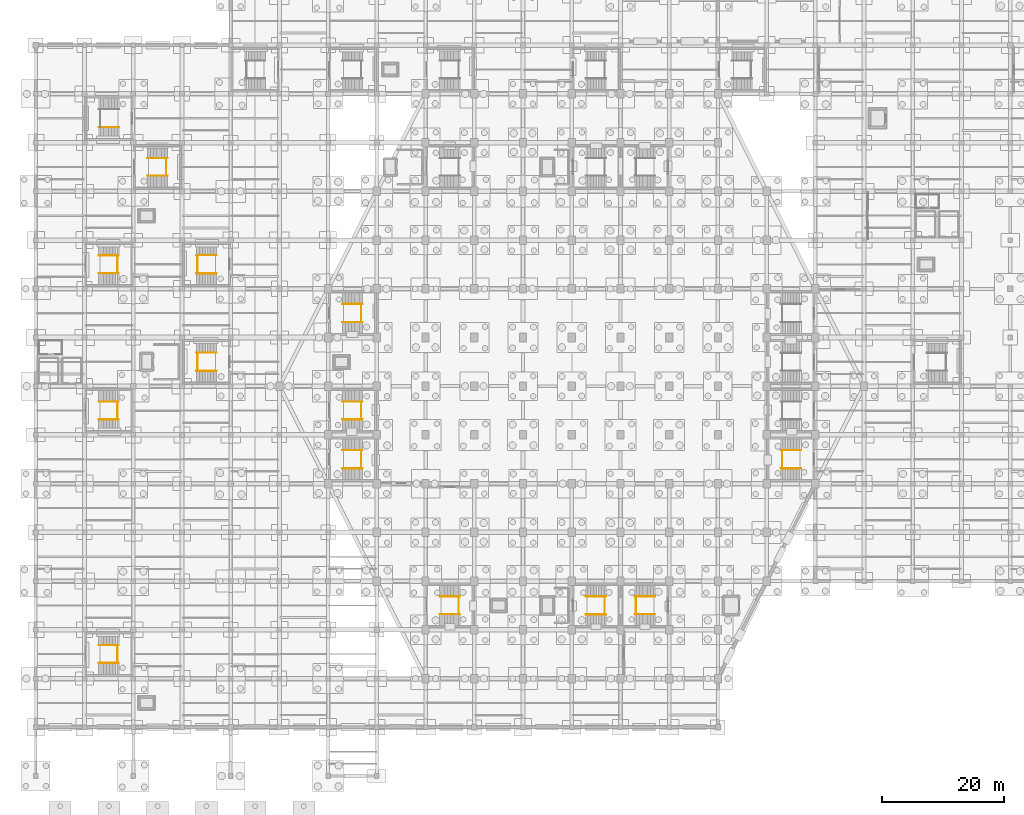
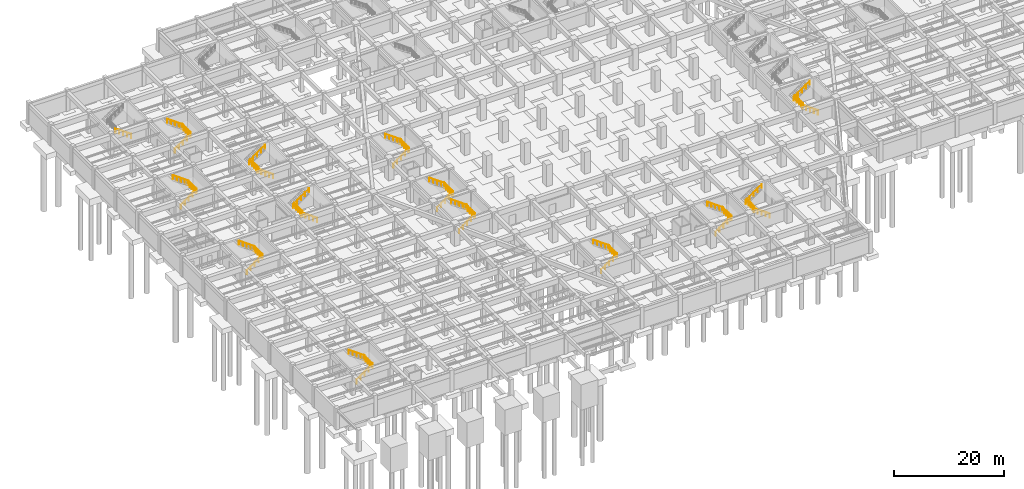
# One storey, part 34 of 36: 40 railings.
"""IFC4 building model written with IfcOpenShell, lengths in metres."""

from ifc_helpers import new_model, si_unit, direction, frame, origin, origin_2d, place, context, subcontext, project, spatial, circle, extrude, material, type_object, element, save


model = new_model("IFC4")

# Units and contexts
model_context = context("Model", 3, precision=1e-05, world=origin(), true_north=direction((0.0, 1.0)))
body_context = subcontext(model_context, "Body", "Model", "MODEL_VIEW")
ifc_project = project(units=[si_unit("LENGTHUNIT", "METRE"), si_unit("AREAUNIT", "SQUARE_METRE"), si_unit("VOLUMEUNIT", "CUBIC_METRE"), si_unit("PLANEANGLEUNIT", "RADIAN"), si_unit("MASSUNIT", "GRAM", prefix="KILO")], contexts=[model_context])

# Site, building, storey
site_placement = place(None, origin())
site = spatial("IfcSite", under=ifc_project, at=site_placement, CompositionType="ELEMENT")
building_placement = place(site_placement, origin())
building = spatial("IfcBuilding", under=site, at=building_placement, Name="Tazarka Park Arena", CompositionType="ELEMENT")
storey_placement = place(building_placement, frame((0.0, 0.0, -4.800048828125)))
storey = spatial("IfcBuildingStorey", under=building, at=storey_placement, Name="B1", CompositionType="ELEMENT", Elevation=-4.800048828125)

# Railings
ifc_material_1 = material(Name="Brushed architectural stainless steel", Category="steel")
railing_type_1 = type_object("IfcRailingType", Name="HR-01", PredefinedType="HANDRAIL", material=ifc_material_1)
railing_1_placement = place(storey_placement, frame((10.31494140625, 58.550048828125, 0.0)))
element("IfcRailing", 1, at=railing_1_placement, inside=storey, type_object=railing_type_1, Name="Stair Handrail ST01-B1-F1", PredefinedType="HANDRAIL", context=body_context, shape_type="SweptSolid", body=[
    extrude(circle(Radius=0.02392578125, at=origin_2d()), frame((0.0, 0.0, 0.89599609375), z_axis=(0.809980229442, 0.0, 0.586457183359), x_axis=(0.0, 1.0, 0.0)), (0.0, 0.0, 1.0), 4.092529296875),
    extrude(circle(Radius=0.02099609375, at=origin_2d()), origin(), (0.0, 0.0, 1.0), 0.871826171875),
    extrude(circle(Radius=0.02099609375, at=origin_2d()), frame((0.82861328125, 0.0, 0.60009765625)), (0.0, 0.0, 1.0), 0.871826171875),
    extrude(circle(Radius=0.02099609375, at=origin_2d()), frame((1.657470703125, 0.0, 1.2001953125)), (0.0, 0.0, 1.0), 0.871826171875),
    extrude(circle(Radius=0.02099609375, at=origin_2d()), frame((2.486328125, 0.0, 1.800048828125)), (0.0, 0.0, 1.0), 0.871826171875),
    extrude(circle(Radius=0.02099609375, at=origin_2d()), frame((3.31494140625, 0.0, 2.400146484375)), (0.0, 0.0, 1.0), 0.871826171875),
])
railing_2_placement = place(storey_placement, frame((13.6298828125, 61.449951171875, 2.400146484375)))
element("IfcRailing", 2, at=railing_2_placement, inside=storey, type_object=railing_type_1, Name="Stair Handrail ST01-B1-F2", PredefinedType="HANDRAIL", context=body_context, shape_type="SweptSolid", body=[
    extrude(circle(Radius=0.02392578125, at=origin_2d()), frame((0.0, 0.0, 0.89599609375), z_axis=(-0.810008566192, 0.0, 0.586418044312), x_axis=(0.0, -1.0, 0.0)), (0.0, 0.0, 1.0), 4.092529296875),
    extrude(circle(Radius=0.02099609375, at=origin_2d()), origin(), (0.0, 0.0, 1.0), 0.871826171875),
    extrude(circle(Radius=0.02099609375, at=origin_2d()), frame((-0.82861328125, 0.0, 0.60009765625)), (0.0, 0.0, 1.0), 0.871826171875),
    extrude(circle(Radius=0.02099609375, at=origin_2d()), frame((-1.657470703125, 0.0, 1.199951171875)), (0.0, 0.0, 1.0), 0.871826171875),
    extrude(circle(Radius=0.02099609375, at=origin_2d()), frame((-2.486328125, 0.0, 1.7998046875)), (0.0, 0.0, 1.0), 0.871826171875),
    extrude(circle(Radius=0.02099609375, at=origin_2d()), frame((-3.31494140625, 0.0, 2.39990234375)), (0.0, 0.0, 1.0), 0.871826171875),
])
railing_3_placement = place(storey_placement, frame((10.31494140625, 82.550048828125, 0.0)))
element("IfcRailing", 3, at=railing_3_placement, inside=storey, type_object=railing_type_1, Name="Stair Handrail ST02-B1-F1", PredefinedType="HANDRAIL", context=body_context, shape_type="SweptSolid", body=[
    extrude(circle(Radius=0.02392578125, at=origin_2d()), frame((0.0, 0.0, 0.89599609375), z_axis=(0.809980229442, 0.0, 0.586457183359), x_axis=(0.0, 1.0, 0.0)), (0.0, 0.0, 1.0), 4.092529296875),
    extrude(circle(Radius=0.02099609375, at=origin_2d()), origin(), (0.0, 0.0, 1.0), 0.871826171875),
    extrude(circle(Radius=0.02099609375, at=origin_2d()), frame((0.82861328125, 0.0, 0.60009765625)), (0.0, 0.0, 1.0), 0.871826171875),
    extrude(circle(Radius=0.02099609375, at=origin_2d()), frame((1.657470703125, 0.0, 1.2001953125)), (0.0, 0.0, 1.0), 0.871826171875),
    extrude(circle(Radius=0.02099609375, at=origin_2d()), frame((2.486328125, 0.0, 1.800048828125)), (0.0, 0.0, 1.0), 0.871826171875),
    extrude(circle(Radius=0.02099609375, at=origin_2d()), frame((3.31494140625, 0.0, 2.400146484375)), (0.0, 0.0, 1.0), 0.871826171875),
])
railing_4_placement = place(storey_placement, frame((13.6298828125, 85.449951171875, 2.400146484375)))
element("IfcRailing", 4, at=railing_4_placement, inside=storey, type_object=railing_type_1, Name="Stair Handrail ST02-B1-F2", PredefinedType="HANDRAIL", context=body_context, shape_type="SweptSolid", body=[
    extrude(circle(Radius=0.02392578125, at=origin_2d()), frame((0.0, 0.0, 0.89599609375), z_axis=(-0.810008566192, 0.0, 0.586418044312), x_axis=(0.0, -1.0, 0.0)), (0.0, 0.0, 1.0), 4.092529296875),
    extrude(circle(Radius=0.02099609375, at=origin_2d()), origin(), (0.0, 0.0, 1.0), 0.871826171875),
    extrude(circle(Radius=0.02099609375, at=origin_2d()), frame((-0.82861328125, 0.0, 0.60009765625)), (0.0, 0.0, 1.0), 0.871826171875),
    extrude(circle(Radius=0.02099609375, at=origin_2d()), frame((-1.657470703125, 0.0, 1.199951171875)), (0.0, 0.0, 1.0), 0.871826171875),
    extrude(circle(Radius=0.02099609375, at=origin_2d()), frame((-2.486328125, 0.0, 1.7998046875)), (0.0, 0.0, 1.0), 0.871826171875),
    extrude(circle(Radius=0.02099609375, at=origin_2d()), frame((-3.31494140625, 0.0, 2.39990234375)), (0.0, 0.0, 1.0), 0.871826171875),
])
railing_5_placement = place(storey_placement, frame((18.31494140625, 98.550048828125, 0.0)))
element("IfcRailing", 5, at=railing_5_placement, inside=storey, type_object=railing_type_1, Name="Stair Handrail ST03-B1-F1", PredefinedType="HANDRAIL", context=body_context, shape_type="SweptSolid", body=[
    extrude(circle(Radius=0.02392578125, at=origin_2d()), frame((0.0, 0.0, 0.89599609375), z_axis=(0.809980229442, 0.0, 0.586457183359), x_axis=(0.0, 1.0, 0.0)), (0.0, 0.0, 1.0), 4.092529296875),
    extrude(circle(Radius=0.02099609375, at=origin_2d()), origin(), (0.0, 0.0, 1.0), 0.871826171875),
    extrude(circle(Radius=0.02099609375, at=origin_2d()), frame((0.82861328125, 0.0, 0.60009765625)), (0.0, 0.0, 1.0), 0.871826171875),
    extrude(circle(Radius=0.02099609375, at=origin_2d()), frame((1.657470703125, 0.0, 1.2001953125)), (0.0, 0.0, 1.0), 0.871826171875),
    extrude(circle(Radius=0.02099609375, at=origin_2d()), frame((2.486328125, 0.0, 1.800048828125)), (0.0, 0.0, 1.0), 0.871826171875),
    extrude(circle(Radius=0.02099609375, at=origin_2d()), frame((3.31494140625, 0.0, 2.400146484375)), (0.0, 0.0, 1.0), 0.871826171875),
])
railing_6_placement = place(storey_placement, frame((21.6298828125, 101.449951171875, 2.400146484375)))
element("IfcRailing", 6, at=railing_6_placement, inside=storey, type_object=railing_type_1, Name="Stair Handrail ST03-B1-F2", PredefinedType="HANDRAIL", context=body_context, shape_type="SweptSolid", body=[
    extrude(circle(Radius=0.02392578125, at=origin_2d()), frame((0.0, 0.0, 0.89599609375), z_axis=(-0.810008566192, 0.0, 0.586418044312), x_axis=(0.0, -1.0, 0.0)), (0.0, 0.0, 1.0), 4.092529296875),
    extrude(circle(Radius=0.02099609375, at=origin_2d()), origin(), (0.0, 0.0, 1.0), 0.871826171875),
    extrude(circle(Radius=0.02099609375, at=origin_2d()), frame((-0.82861328125, 0.0, 0.60009765625)), (0.0, 0.0, 1.0), 0.871826171875),
    extrude(circle(Radius=0.02099609375, at=origin_2d()), frame((-1.657470703125, 0.0, 1.199951171875)), (0.0, 0.0, 1.0), 0.871826171875),
    extrude(circle(Radius=0.02099609375, at=origin_2d()), frame((-2.486328125, 0.0, 1.7998046875)), (0.0, 0.0, 1.0), 0.871826171875),
    extrude(circle(Radius=0.02099609375, at=origin_2d()), frame((-3.31494140625, 0.0, 2.39990234375)), (0.0, 0.0, 1.0), 0.871826171875),
])
railing_7_placement = place(storey_placement, frame((66.31494140625, 26.550048828125, 0.0)))
element("IfcRailing", 7, at=railing_7_placement, inside=storey, type_object=railing_type_1, Name="Stair Handrail ST09-B1-F1", PredefinedType="HANDRAIL", context=body_context, shape_type="SweptSolid", body=[
    extrude(circle(Radius=0.02392578125, at=origin_2d()), frame((0.0, 0.0, 0.89599609375), z_axis=(0.809980229442, 0.0, 0.586457183359), x_axis=(0.0, 1.0, 0.0)), (0.0, 0.0, 1.0), 4.092529296875),
    extrude(circle(Radius=0.02099609375, at=origin_2d()), origin(), (0.0, 0.0, 1.0), 0.871826171875),
    extrude(circle(Radius=0.02099609375, at=origin_2d()), frame((0.82861328125, 0.0, 0.60009765625)), (0.0, 0.0, 1.0), 0.871826171875),
    extrude(circle(Radius=0.02099609375, at=origin_2d()), frame((1.657470703125, 0.0, 1.2001953125)), (0.0, 0.0, 1.0), 0.871826171875),
    extrude(circle(Radius=0.02099609375, at=origin_2d()), frame((2.486328125, 0.0, 1.800048828125)), (0.0, 0.0, 1.0), 0.871826171875),
    extrude(circle(Radius=0.02099609375, at=origin_2d()), frame((3.31494140625, 0.0, 2.400146484375)), (0.0, 0.0, 1.0), 0.871826171875),
])
railing_8_placement = place(storey_placement, frame((69.6298828125, 29.449951171875, 2.400146484375)))
element("IfcRailing", 8, at=railing_8_placement, inside=storey, type_object=railing_type_1, Name="Stair Handrail ST09-B1-F2", PredefinedType="HANDRAIL", context=body_context, shape_type="SweptSolid", body=[
    extrude(circle(Radius=0.02392578125, at=origin_2d()), frame((0.0, 0.0, 0.89599609375), z_axis=(-0.810008566192, 0.0, 0.586418044312), x_axis=(0.0, -1.0, 0.0)), (0.0, 0.0, 1.0), 4.092529296875),
    extrude(circle(Radius=0.02099609375, at=origin_2d()), origin(), (0.0, 0.0, 1.0), 0.871826171875),
    extrude(circle(Radius=0.02099609375, at=origin_2d()), frame((-0.82861328125, 0.0, 0.60009765625)), (0.0, 0.0, 1.0), 0.871826171875),
    extrude(circle(Radius=0.02099609375, at=origin_2d()), frame((-1.657470703125, 0.0, 1.199951171875)), (0.0, 0.0, 1.0), 0.871826171875),
    extrude(circle(Radius=0.02099609375, at=origin_2d()), frame((-2.486328125, 0.0, 1.7998046875)), (0.0, 0.0, 1.0), 0.871826171875),
    extrude(circle(Radius=0.02099609375, at=origin_2d()), frame((-3.31494140625, 0.0, 2.39990234375)), (0.0, 0.0, 1.0), 0.871826171875),
])
railing_9_placement = place(storey_placement, frame((101.68505859375, 26.550048828125, 0.0)))
element("IfcRailing", 9, at=railing_9_placement, inside=storey, type_object=railing_type_1, Name="Stair Handrail ST11-B1-F1", PredefinedType="HANDRAIL", context=body_context, shape_type="SweptSolid", body=[
    extrude(circle(Radius=0.02392578125, at=origin_2d()), frame((0.0, 0.0, 0.89599609375), z_axis=(-0.809980229442, 0.0, 0.586457183359), x_axis=(0.0, -1.0, 0.0)), (0.0, 0.0, 1.0), 4.092529296875),
    extrude(circle(Radius=0.02099609375, at=origin_2d()), origin(), (0.0, 0.0, 1.0), 0.871826171875),
    extrude(circle(Radius=0.02099609375, at=origin_2d()), frame((-0.82861328125, 0.0, 0.60009765625)), (0.0, 0.0, 1.0), 0.871826171875),
    extrude(circle(Radius=0.02099609375, at=origin_2d()), frame((-1.657470703125, 0.0, 1.2001953125)), (0.0, 0.0, 1.0), 0.871826171875),
    extrude(circle(Radius=0.02099609375, at=origin_2d()), frame((-2.486328125, 0.0, 1.800048828125)), (0.0, 0.0, 1.0), 0.871826171875),
    extrude(circle(Radius=0.02099609375, at=origin_2d()), frame((-3.31494140625, 0.0, 2.400146484375)), (0.0, 0.0, 1.0), 0.871826171875),
])
railing_10_placement = place(storey_placement, frame((98.3701171875, 29.449951171875, 2.400146484375)))
element("IfcRailing", 10, at=railing_10_placement, inside=storey, type_object=railing_type_1, Name="Stair Handrail ST11-B1-F2", PredefinedType="HANDRAIL", context=body_context, shape_type="SweptSolid", body=[
    extrude(circle(Radius=0.02392578125, at=origin_2d()), frame((0.0, 0.0, 0.89599609375), z_axis=(0.810008566192, 0.0, 0.586418044312), x_axis=(0.0, 1.0, 0.0)), (0.0, 0.0, 1.0), 4.092529296875),
    extrude(circle(Radius=0.02099609375, at=origin_2d()), origin(), (0.0, 0.0, 1.0), 0.871826171875),
    extrude(circle(Radius=0.02099609375, at=origin_2d()), frame((0.82861328125, 0.0, 0.60009765625)), (0.0, 0.0, 1.0), 0.871826171875),
    extrude(circle(Radius=0.02099609375, at=origin_2d()), frame((1.657470703125, 0.0, 1.199951171875)), (0.0, 0.0, 1.0), 0.871826171875),
    extrude(circle(Radius=0.02099609375, at=origin_2d()), frame((2.486328125, 0.0, 1.7998046875)), (0.0, 0.0, 1.0), 0.871826171875),
    extrude(circle(Radius=0.02099609375, at=origin_2d()), frame((3.31494140625, 0.0, 2.39990234375)), (0.0, 0.0, 1.0), 0.871826171875),
])
railing_11_placement = place(storey_placement, frame((50.31494140625, 58.550048828125, 0.0)))
element("IfcRailing", 11, at=railing_11_placement, inside=storey, type_object=railing_type_1, Name="Stair Handrail ST13-B1-F1", PredefinedType="HANDRAIL", context=body_context, shape_type="SweptSolid", body=[
    extrude(circle(Radius=0.02392578125, at=origin_2d()), frame((0.0, 0.0, 0.89599609375), z_axis=(0.809980229442, 0.0, 0.586457183359), x_axis=(0.0, 1.0, 0.0)), (0.0, 0.0, 1.0), 4.092529296875),
    extrude(circle(Radius=0.02099609375, at=origin_2d()), origin(), (0.0, 0.0, 1.0), 0.871826171875),
    extrude(circle(Radius=0.02099609375, at=origin_2d()), frame((0.82861328125, 0.0, 0.60009765625)), (0.0, 0.0, 1.0), 0.871826171875),
    extrude(circle(Radius=0.02099609375, at=origin_2d()), frame((1.657470703125, 0.0, 1.2001953125)), (0.0, 0.0, 1.0), 0.871826171875),
    extrude(circle(Radius=0.02099609375, at=origin_2d()), frame((2.486328125, 0.0, 1.800048828125)), (0.0, 0.0, 1.0), 0.871826171875),
    extrude(circle(Radius=0.02099609375, at=origin_2d()), frame((3.31494140625, 0.0, 2.400146484375)), (0.0, 0.0, 1.0), 0.871826171875),
])
railing_12_placement = place(storey_placement, frame((53.6298828125, 61.449951171875, 2.400146484375)))
element("IfcRailing", 12, at=railing_12_placement, inside=storey, type_object=railing_type_1, Name="Stair Handrail ST13-B1-F2", PredefinedType="HANDRAIL", context=body_context, shape_type="SweptSolid", body=[
    extrude(circle(Radius=0.02392578125, at=origin_2d()), frame((0.0, 0.0, 0.89599609375), z_axis=(-0.810008566192, 0.0, 0.586418044312), x_axis=(0.0, -1.0, 0.0)), (0.0, 0.0, 1.0), 4.092529296875),
    extrude(circle(Radius=0.02099609375, at=origin_2d()), origin(), (0.0, 0.0, 1.0), 0.871826171875),
    extrude(circle(Radius=0.02099609375, at=origin_2d()), frame((-0.82861328125, 0.0, 0.60009765625)), (0.0, 0.0, 1.0), 0.871826171875),
    extrude(circle(Radius=0.02099609375, at=origin_2d()), frame((-1.657470703125, 0.0, 1.199951171875)), (0.0, 0.0, 1.0), 0.871826171875),
    extrude(circle(Radius=0.02099609375, at=origin_2d()), frame((-2.486328125, 0.0, 1.7998046875)), (0.0, 0.0, 1.0), 0.871826171875),
    extrude(circle(Radius=0.02099609375, at=origin_2d()), frame((-3.31494140625, 0.0, 2.39990234375)), (0.0, 0.0, 1.0), 0.871826171875),
])
railing_13_placement = place(storey_placement, frame((10.31494140625, 18.550048828125, 0.0)))
element("IfcRailing", 13, at=railing_13_placement, inside=storey, type_object=railing_type_1, Name="Stair Handrail ST17-B1-F1", PredefinedType="HANDRAIL", context=body_context, shape_type="SweptSolid", body=[
    extrude(circle(Radius=0.02392578125, at=origin_2d()), frame((0.0, 0.0, 0.89599609375), z_axis=(0.809980229442, 0.0, 0.586457183359), x_axis=(0.0, 1.0, 0.0)), (0.0, 0.0, 1.0), 4.092529296875),
    extrude(circle(Radius=0.02099609375, at=origin_2d()), origin(), (0.0, 0.0, 1.0), 0.871826171875),
    extrude(circle(Radius=0.02099609375, at=origin_2d()), frame((0.82861328125, 0.0, 0.60009765625)), (0.0, 0.0, 1.0), 0.871826171875),
    extrude(circle(Radius=0.02099609375, at=origin_2d()), frame((1.657470703125, 0.0, 1.2001953125)), (0.0, 0.0, 1.0), 0.871826171875),
    extrude(circle(Radius=0.02099609375, at=origin_2d()), frame((2.486328125, 0.0, 1.800048828125)), (0.0, 0.0, 1.0), 0.871826171875),
    extrude(circle(Radius=0.02099609375, at=origin_2d()), frame((3.31494140625, 0.0, 2.400146484375)), (0.0, 0.0, 1.0), 0.871826171875),
])
railing_14_placement = place(storey_placement, frame((13.6298828125, 21.449951171875, 2.400146484375)))
element("IfcRailing", 14, at=railing_14_placement, inside=storey, type_object=railing_type_1, Name="Stair Handrail ST17-B1-F2", PredefinedType="HANDRAIL", context=body_context, shape_type="SweptSolid", body=[
    extrude(circle(Radius=0.02392578125, at=origin_2d()), frame((0.0, 0.0, 0.89599609375), z_axis=(-0.810008566192, 0.0, 0.586418044312), x_axis=(0.0, -1.0, 0.0)), (0.0, 0.0, 1.0), 4.092529296875),
    extrude(circle(Radius=0.02099609375, at=origin_2d()), origin(), (0.0, 0.0, 1.0), 0.871826171875),
    extrude(circle(Radius=0.02099609375, at=origin_2d()), frame((-0.82861328125, 0.0, 0.60009765625)), (0.0, 0.0, 1.0), 0.871826171875),
    extrude(circle(Radius=0.02099609375, at=origin_2d()), frame((-1.657470703125, 0.0, 1.199951171875)), (0.0, 0.0, 1.0), 0.871826171875),
    extrude(circle(Radius=0.02099609375, at=origin_2d()), frame((-2.486328125, 0.0, 1.7998046875)), (0.0, 0.0, 1.0), 0.871826171875),
    extrude(circle(Radius=0.02099609375, at=origin_2d()), frame((-3.31494140625, 0.0, 2.39990234375)), (0.0, 0.0, 1.0), 0.871826171875),
])
railing_15_placement = place(storey_placement, frame((50.31494140625, 50.510009765625, 0.0)))
element("IfcRailing", 15, at=railing_15_placement, inside=storey, type_object=railing_type_1, Name="Stair Handrail ST19-B1-F1", PredefinedType="HANDRAIL", context=body_context, shape_type="SweptSolid", body=[
    extrude(circle(Radius=0.02392578125, at=origin_2d()), frame((0.0, 0.0, 0.89599609375), z_axis=(0.809980229442, 0.0, 0.586457183359), x_axis=(0.0, 1.0, 0.0)), (0.0, 0.0, 1.0), 4.092529296875),
    extrude(circle(Radius=0.02099609375, at=origin_2d()), origin(), (0.0, 0.0, 1.0), 0.871826171875),
    extrude(circle(Radius=0.02099609375, at=origin_2d()), frame((0.82861328125, 0.0, 0.60009765625)), (0.0, 0.0, 1.0), 0.871826171875),
    extrude(circle(Radius=0.02099609375, at=origin_2d()), frame((1.657470703125, 0.0, 1.2001953125)), (0.0, 0.0, 1.0), 0.871826171875),
    extrude(circle(Radius=0.02099609375, at=origin_2d()), frame((2.486328125, 0.0, 1.800048828125)), (0.0, 0.0, 1.0), 0.871826171875),
    extrude(circle(Radius=0.02099609375, at=origin_2d()), frame((3.31494140625, 0.0, 2.400146484375)), (0.0, 0.0, 1.0), 0.871826171875),
])
railing_16_placement = place(storey_placement, frame((53.6298828125, 53.489990234375, 2.400146484375)))
element("IfcRailing", 16, at=railing_16_placement, inside=storey, type_object=railing_type_1, Name="Stair Handrail ST19-B1-F2", PredefinedType="HANDRAIL", context=body_context, shape_type="SweptSolid", body=[
    extrude(circle(Radius=0.02392578125, at=origin_2d()), frame((0.0, 0.0, 0.89599609375), z_axis=(-0.810008566192, 0.0, 0.586418044312), x_axis=(0.0, -1.0, 0.0)), (0.0, 0.0, 1.0), 4.092529296875),
    extrude(circle(Radius=0.02099609375, at=origin_2d()), origin(), (0.0, 0.0, 1.0), 0.871826171875),
    extrude(circle(Radius=0.02099609375, at=origin_2d()), frame((-0.82861328125, 0.0, 0.60009765625)), (0.0, 0.0, 1.0), 0.871826171875),
    extrude(circle(Radius=0.02099609375, at=origin_2d()), frame((-1.657470703125, 0.0, 1.199951171875)), (0.0, 0.0, 1.0), 0.871826171875),
    extrude(circle(Radius=0.02099609375, at=origin_2d()), frame((-2.486328125, 0.0, 1.7998046875)), (0.0, 0.0, 1.0), 0.871826171875),
    extrude(circle(Radius=0.02099609375, at=origin_2d()), frame((-3.31494140625, 0.0, 2.39990234375)), (0.0, 0.0, 1.0), 0.871826171875),
])
railing_17_placement = place(storey_placement, frame((50.31494140625, 74.510009765625, 0.0)))
element("IfcRailing", 17, at=railing_17_placement, inside=storey, type_object=railing_type_1, Name="Stair Handrail ST20-B1-F1", PredefinedType="HANDRAIL", context=body_context, shape_type="SweptSolid", body=[
    extrude(circle(Radius=0.02392578125, at=origin_2d()), frame((0.0, 0.0, 0.89599609375), z_axis=(0.809980229442, 0.0, 0.586457183359), x_axis=(0.0, 1.0, 0.0)), (0.0, 0.0, 1.0), 4.092529296875),
    extrude(circle(Radius=0.02099609375, at=origin_2d()), origin(), (0.0, 0.0, 1.0), 0.871826171875),
    extrude(circle(Radius=0.02099609375, at=origin_2d()), frame((0.82861328125, 0.0, 0.60009765625)), (0.0, 0.0, 1.0), 0.871826171875),
    extrude(circle(Radius=0.02099609375, at=origin_2d()), frame((1.657470703125, 0.0, 1.2001953125)), (0.0, 0.0, 1.0), 0.871826171875),
    extrude(circle(Radius=0.02099609375, at=origin_2d()), frame((2.486328125, 0.0, 1.800048828125)), (0.0, 0.0, 1.0), 0.871826171875),
    extrude(circle(Radius=0.02099609375, at=origin_2d()), frame((3.31494140625, 0.0, 2.400146484375)), (0.0, 0.0, 1.0), 0.871826171875),
])
railing_18_placement = place(storey_placement, frame((53.6298828125, 77.489990234375, 2.400146484375)))
element("IfcRailing", 18, at=railing_18_placement, inside=storey, type_object=railing_type_1, Name="Stair Handrail ST20-B1-F2", PredefinedType="HANDRAIL", context=body_context, shape_type="SweptSolid", body=[
    extrude(circle(Radius=0.02392578125, at=origin_2d()), frame((0.0, 0.0, 0.89599609375), z_axis=(-0.810008566192, 0.0, 0.586418044312), x_axis=(0.0, -1.0, 0.0)), (0.0, 0.0, 1.0), 4.092529296875),
    extrude(circle(Radius=0.02099609375, at=origin_2d()), origin(), (0.0, 0.0, 1.0), 0.871826171875),
    extrude(circle(Radius=0.02099609375, at=origin_2d()), frame((-0.82861328125, 0.0, 0.60009765625)), (0.0, 0.0, 1.0), 0.871826171875),
    extrude(circle(Radius=0.02099609375, at=origin_2d()), frame((-1.657470703125, 0.0, 1.199951171875)), (0.0, 0.0, 1.0), 0.871826171875),
    extrude(circle(Radius=0.02099609375, at=origin_2d()), frame((-2.486328125, 0.0, 1.7998046875)), (0.0, 0.0, 1.0), 0.871826171875),
    extrude(circle(Radius=0.02099609375, at=origin_2d()), frame((-3.31494140625, 0.0, 2.39990234375)), (0.0, 0.0, 1.0), 0.871826171875),
])
railing_19_placement = place(storey_placement, frame((125.68505859375, 50.510009765625, 0.0)))
element("IfcRailing", 19, at=railing_19_placement, inside=storey, type_object=railing_type_1, Name="Stair Handrail ST21-B1-F1", PredefinedType="HANDRAIL", context=body_context, shape_type="SweptSolid", body=[
    extrude(circle(Radius=0.02392578125, at=origin_2d()), frame((0.0, 0.0, 0.89599609375), z_axis=(-0.809980229442, 0.0, 0.586457183359), x_axis=(0.0, -1.0, 0.0)), (0.0, 0.0, 1.0), 4.092529296875),
    extrude(circle(Radius=0.02099609375, at=origin_2d()), origin(), (0.0, 0.0, 1.0), 0.871826171875),
    extrude(circle(Radius=0.02099609375, at=origin_2d()), frame((-0.82861328125, 0.0, 0.60009765625)), (0.0, 0.0, 1.0), 0.871826171875),
    extrude(circle(Radius=0.02099609375, at=origin_2d()), frame((-1.657470703125, 0.0, 1.2001953125)), (0.0, 0.0, 1.0), 0.871826171875),
    extrude(circle(Radius=0.02099609375, at=origin_2d()), frame((-2.486328125, 0.0, 1.800048828125)), (0.0, 0.0, 1.0), 0.871826171875),
    extrude(circle(Radius=0.02099609375, at=origin_2d()), frame((-3.31494140625, 0.0, 2.400146484375)), (0.0, 0.0, 1.0), 0.871826171875),
])
railing_20_placement = place(storey_placement, frame((122.3701171875, 53.489990234375, 2.400146484375)))
element("IfcRailing", 20, at=railing_20_placement, inside=storey, type_object=railing_type_1, Name="Stair Handrail ST21-B1-F2", PredefinedType="HANDRAIL", context=body_context, shape_type="SweptSolid", body=[
    extrude(circle(Radius=0.02392578125, at=origin_2d()), frame((0.0, 0.0, 0.89599609375), z_axis=(0.810008566192, 0.0, 0.586418044312), x_axis=(0.0, 1.0, 0.0)), (0.0, 0.0, 1.0), 4.092529296875),
    extrude(circle(Radius=0.02099609375, at=origin_2d()), origin(), (0.0, 0.0, 1.0), 0.871826171875),
    extrude(circle(Radius=0.02099609375, at=origin_2d()), frame((0.82861328125, 0.0, 0.60009765625)), (0.0, 0.0, 1.0), 0.871826171875),
    extrude(circle(Radius=0.02099609375, at=origin_2d()), frame((1.657470703125, 0.0, 1.199951171875)), (0.0, 0.0, 1.0), 0.871826171875),
    extrude(circle(Radius=0.02099609375, at=origin_2d()), frame((2.486328125, 0.0, 1.7998046875)), (0.0, 0.0, 1.0), 0.871826171875),
    extrude(circle(Radius=0.02099609375, at=origin_2d()), frame((3.31494140625, 0.0, 2.39990234375)), (0.0, 0.0, 1.0), 0.871826171875),
])
railing_21_placement = place(storey_placement, frame((90.31494140625, 26.510009765625, 0.0)))
element("IfcRailing", 21, at=railing_21_placement, inside=storey, type_object=railing_type_1, Name="Stair Handrail ST23-B1-F1", PredefinedType="HANDRAIL", context=body_context, shape_type="SweptSolid", body=[
    extrude(circle(Radius=0.02392578125, at=origin_2d()), frame((0.0, 0.0, 0.89599609375), z_axis=(0.809980229442, 0.0, 0.586457183359), x_axis=(0.0, 1.0, 0.0)), (0.0, 0.0, 1.0), 4.092529296875),
    extrude(circle(Radius=0.02099609375, at=origin_2d()), origin(), (0.0, 0.0, 1.0), 0.871826171875),
    extrude(circle(Radius=0.02099609375, at=origin_2d()), frame((0.82861328125, 0.0, 0.60009765625)), (0.0, 0.0, 1.0), 0.871826171875),
    extrude(circle(Radius=0.02099609375, at=origin_2d()), frame((1.657470703125, 0.0, 1.2001953125)), (0.0, 0.0, 1.0), 0.871826171875),
    extrude(circle(Radius=0.02099609375, at=origin_2d()), frame((2.486328125, 0.0, 1.800048828125)), (0.0, 0.0, 1.0), 0.871826171875),
    extrude(circle(Radius=0.02099609375, at=origin_2d()), frame((3.31494140625, 0.0, 2.400146484375)), (0.0, 0.0, 1.0), 0.871826171875),
])
railing_22_placement = place(storey_placement, frame((93.6298828125, 29.489990234375, 2.400146484375)))
element("IfcRailing", 22, at=railing_22_placement, inside=storey, type_object=railing_type_1, Name="Stair Handrail ST23-B1-F2", PredefinedType="HANDRAIL", context=body_context, shape_type="SweptSolid", body=[
    extrude(circle(Radius=0.02392578125, at=origin_2d()), frame((0.0, 0.0, 0.89599609375), z_axis=(-0.810008566192, 0.0, 0.586418044312), x_axis=(0.0, -1.0, 0.0)), (0.0, 0.0, 1.0), 4.092529296875),
    extrude(circle(Radius=0.02099609375, at=origin_2d()), origin(), (0.0, 0.0, 1.0), 0.871826171875),
    extrude(circle(Radius=0.02099609375, at=origin_2d()), frame((-0.82861328125, 0.0, 0.60009765625)), (0.0, 0.0, 1.0), 0.871826171875),
    extrude(circle(Radius=0.02099609375, at=origin_2d()), frame((-1.657470703125, 0.0, 1.199951171875)), (0.0, 0.0, 1.0), 0.871826171875),
    extrude(circle(Radius=0.02099609375, at=origin_2d()), frame((-2.486328125, 0.0, 1.7998046875)), (0.0, 0.0, 1.0), 0.871826171875),
    extrude(circle(Radius=0.02099609375, at=origin_2d()), frame((-3.31494140625, 0.0, 2.39990234375)), (0.0, 0.0, 1.0), 0.871826171875),
])
railing_23_placement = place(storey_placement, frame((29.68505859375, 66.510009765625, 0.0)))
element("IfcRailing", 23, at=railing_23_placement, inside=storey, type_object=railing_type_1, Name="Stair Handrail ST24-B1-F1", PredefinedType="HANDRAIL", context=body_context, shape_type="SweptSolid", body=[
    extrude(circle(Radius=0.02392578125, at=origin_2d()), frame((0.0, 0.0, 0.89599609375), z_axis=(-0.809980229442, 0.0, 0.586457183359), x_axis=(0.0, -1.0, 0.0)), (0.0, 0.0, 1.0), 4.092529296875),
    extrude(circle(Radius=0.02099609375, at=origin_2d()), origin(), (0.0, 0.0, 1.0), 0.871826171875),
    extrude(circle(Radius=0.02099609375, at=origin_2d()), frame((-0.82861328125, 0.0, 0.60009765625)), (0.0, 0.0, 1.0), 0.871826171875),
    extrude(circle(Radius=0.02099609375, at=origin_2d()), frame((-1.657470703125, 0.0, 1.2001953125)), (0.0, 0.0, 1.0), 0.871826171875),
    extrude(circle(Radius=0.02099609375, at=origin_2d()), frame((-2.486328125, 0.0, 1.800048828125)), (0.0, 0.0, 1.0), 0.871826171875),
    extrude(circle(Radius=0.02099609375, at=origin_2d()), frame((-3.31494140625, 0.0, 2.400146484375)), (0.0, 0.0, 1.0), 0.871826171875),
])
railing_24_placement = place(storey_placement, frame((26.3701171875, 69.489990234375, 2.400146484375)))
element("IfcRailing", 24, at=railing_24_placement, inside=storey, type_object=railing_type_1, Name="Stair Handrail ST24-B1-F2", PredefinedType="HANDRAIL", context=body_context, shape_type="SweptSolid", body=[
    extrude(circle(Radius=0.02392578125, at=origin_2d()), frame((0.0, 0.0, 0.89599609375), z_axis=(0.810008566192, 0.0, 0.586418044312), x_axis=(0.0, 1.0, 0.0)), (0.0, 0.0, 1.0), 4.092529296875),
    extrude(circle(Radius=0.02099609375, at=origin_2d()), origin(), (0.0, 0.0, 1.0), 0.871826171875),
    extrude(circle(Radius=0.02099609375, at=origin_2d()), frame((0.82861328125, 0.0, 0.60009765625)), (0.0, 0.0, 1.0), 0.871826171875),
    extrude(circle(Radius=0.02099609375, at=origin_2d()), frame((1.657470703125, 0.0, 1.199951171875)), (0.0, 0.0, 1.0), 0.871826171875),
    extrude(circle(Radius=0.02099609375, at=origin_2d()), frame((2.486328125, 0.0, 1.7998046875)), (0.0, 0.0, 1.0), 0.871826171875),
    extrude(circle(Radius=0.02099609375, at=origin_2d()), frame((3.31494140625, 0.0, 2.39990234375)), (0.0, 0.0, 1.0), 0.871826171875),
])
for number, where, name in (
    (25, (13.68505859375, 106.510009765625, 0.0), "Stair Handrail ST25-B1-F1"),
    (26, (29.68505859375, 82.510009765625, 0.0), "Stair Handrail ST26-B1-F1"),
):
    element("IfcRailing", number, at=place(storey_placement, frame(where)), inside=storey, type_object=railing_type_1, Name=name, PredefinedType="HANDRAIL", context=body_context, shape_type="SweptSolid", body=[
        extrude(circle(Radius=0.02392578125, at=origin_2d()), frame((0.0, 0.0, 0.89599609375), z_axis=(-0.809980229442, 0.0, 0.586457183359), x_axis=(0.0, -1.0, 0.0)), (0.0, 0.0, 1.0), 4.092529296875),
        extrude(circle(Radius=0.02099609375, at=origin_2d()), origin(), (0.0, 0.0, 1.0), 0.871826171875),
        extrude(circle(Radius=0.02099609375, at=origin_2d()), frame((-0.82861328125, 0.0, 0.60009765625)), (0.0, 0.0, 1.0), 0.871826171875),
        extrude(circle(Radius=0.02099609375, at=origin_2d()), frame((-1.657470703125, 0.0, 1.2001953125)), (0.0, 0.0, 1.0), 0.871826171875),
        extrude(circle(Radius=0.02099609375, at=origin_2d()), frame((-2.486328125, 0.0, 1.800048828125)), (0.0, 0.0, 1.0), 0.871826171875),
        extrude(circle(Radius=0.02099609375, at=origin_2d()), frame((-3.31494140625, 0.0, 2.400146484375)), (0.0, 0.0, 1.0), 0.871826171875),
    ])
railing_25_placement = place(storey_placement, frame((26.3701171875, 85.489990234375, 2.400146484375)))
element("IfcRailing", 27, at=railing_25_placement, inside=storey, type_object=railing_type_1, Name="Stair Handrail ST26-B1-F2", PredefinedType="HANDRAIL", context=body_context, shape_type="SweptSolid", body=[
    extrude(circle(Radius=0.02392578125, at=origin_2d()), frame((0.0, 0.0, 0.89599609375), z_axis=(0.810008566192, 0.0, 0.586418044312), x_axis=(0.0, 1.0, 0.0)), (0.0, 0.0, 1.0), 4.092529296875),
    extrude(circle(Radius=0.02099609375, at=origin_2d()), origin(), (0.0, 0.0, 1.0), 0.871826171875),
    extrude(circle(Radius=0.02099609375, at=origin_2d()), frame((0.82861328125, 0.0, 0.60009765625)), (0.0, 0.0, 1.0), 0.871826171875),
    extrude(circle(Radius=0.02099609375, at=origin_2d()), frame((1.657470703125, 0.0, 1.199951171875)), (0.0, 0.0, 1.0), 0.871826171875),
    extrude(circle(Radius=0.02099609375, at=origin_2d()), frame((2.486328125, 0.0, 1.7998046875)), (0.0, 0.0, 1.0), 0.871826171875),
    extrude(circle(Radius=0.02099609375, at=origin_2d()), frame((3.31494140625, 0.0, 2.39990234375)), (0.0, 0.0, 1.0), 0.871826171875),
])
ifc_material_2 = material(Name="Galvanised powder-coated architectural steel", Category="steel")
railing_type_2 = type_object("IfcRailingType", Name="IGR-01", PredefinedType="GUARDRAIL", material=ifc_material_2)
for number, where, name in (
    (28, (13.429931640625, 58.550048828125, 2.400146484375), "Landing Guardrail ST01-B1-M"),
    (29, (13.429931640625, 82.550048828125, 2.400146484375), "Landing Guardrail ST02-B1-M"),
    (30, (21.429931640625, 98.550048828125, 2.400146484375), "Landing Guardrail ST03-B1-M"),
    (31, (69.429931640625, 26.550048828125, 2.400146484375), "Landing Guardrail ST09-B1-M"),
    (32, (98.570068359375, 26.550048828125, 2.400146484375), "Landing Guardrail ST11-B1-M"),
    (33, (53.429931640625, 58.550048828125, 2.400146484375), "Landing Guardrail ST13-B1-M"),
    (34, (13.429931640625, 18.550048828125, 2.400146484375), "Landing Guardrail ST17-B1-M"),
):
    element("IfcRailing", number, at=place(storey_placement, frame(where)), inside=storey, type_object=railing_type_2, Name=name, PredefinedType="GUARDRAIL", context=body_context, shape_type="SweptSolid", body=[
        extrude(circle(Radius=0.02392578125, at=origin_2d()), frame((0.0, 0.0, 1.1259765625), z_axis=(0.0, 1.0, 0.0), x_axis=(-1.0, 0.0, 0.0)), (0.0, 0.0, 1.0), 2.89990234375),
        extrude(circle(Radius=0.02099609375, at=origin_2d()), origin(), (0.0, 0.0, 1.0), 1.101806640625),
        extrude(circle(Radius=0.02099609375, at=origin_2d()), frame((0.0, 0.72509765625, 0.0)), (0.0, 0.0, 1.0), 1.101806640625),
        extrude(circle(Radius=0.02099609375, at=origin_2d()), frame((0.0, 1.449951171875, 0.0)), (0.0, 0.0, 1.0), 1.101806640625),
        extrude(circle(Radius=0.02099609375, at=origin_2d()), frame((0.0, 2.1748046875, 0.0)), (0.0, 0.0, 1.0), 1.101806640625),
        extrude(circle(Radius=0.02099609375, at=origin_2d()), frame((0.0, 2.89990234375, 0.0)), (0.0, 0.0, 1.0), 1.101806640625),
    ])
for number, where, name in (
    (35, (53.429931640625, 50.510009765625, 2.400146484375), "Landing Guardrail ST19-B1-M"),
    (36, (53.429931640625, 74.510009765625, 2.400146484375), "Landing Guardrail ST20-B1-M"),
    (37, (122.570068359375, 50.510009765625, 2.400146484375), "Landing Guardrail ST21-B1-M"),
    (38, (93.429931640625, 26.510009765625, 2.400146484375), "Landing Guardrail ST23-B1-M"),
    (39, (26.570068359375, 66.510009765625, 2.400146484375), "Landing Guardrail ST24-B1-M"),
    (40, (26.570068359375, 82.510009765625, 2.400146484375), "Landing Guardrail ST26-B1-M"),
):
    element("IfcRailing", number, at=place(storey_placement, frame(where)), inside=storey, type_object=railing_type_2, Name=name, PredefinedType="GUARDRAIL", context=body_context, shape_type="SweptSolid", body=[
        extrude(circle(Radius=0.02392578125, at=origin_2d()), frame((0.0, 0.0, 1.1259765625), z_axis=(0.0, 1.0, 0.0), x_axis=(-1.0, 0.0, 0.0)), (0.0, 0.0, 1.0), 2.97998046875),
        extrude(circle(Radius=0.02099609375, at=origin_2d()), origin(), (0.0, 0.0, 1.0), 1.101806640625),
        extrude(circle(Radius=0.02099609375, at=origin_2d()), frame((0.0, 0.7451171875, 0.0)), (0.0, 0.0, 1.0), 1.101806640625),
        extrude(circle(Radius=0.02099609375, at=origin_2d()), frame((0.0, 1.489990234375, 0.0)), (0.0, 0.0, 1.0), 1.101806640625),
        extrude(circle(Radius=0.02099609375, at=origin_2d()), frame((0.0, 2.23486328125, 0.0)), (0.0, 0.0, 1.0), 1.101806640625),
        extrude(circle(Radius=0.02099609375, at=origin_2d()), frame((0.0, 2.97998046875, 0.0)), (0.0, 0.0, 1.0), 1.101806640625),
    ])

save(model, "model.ifc")
